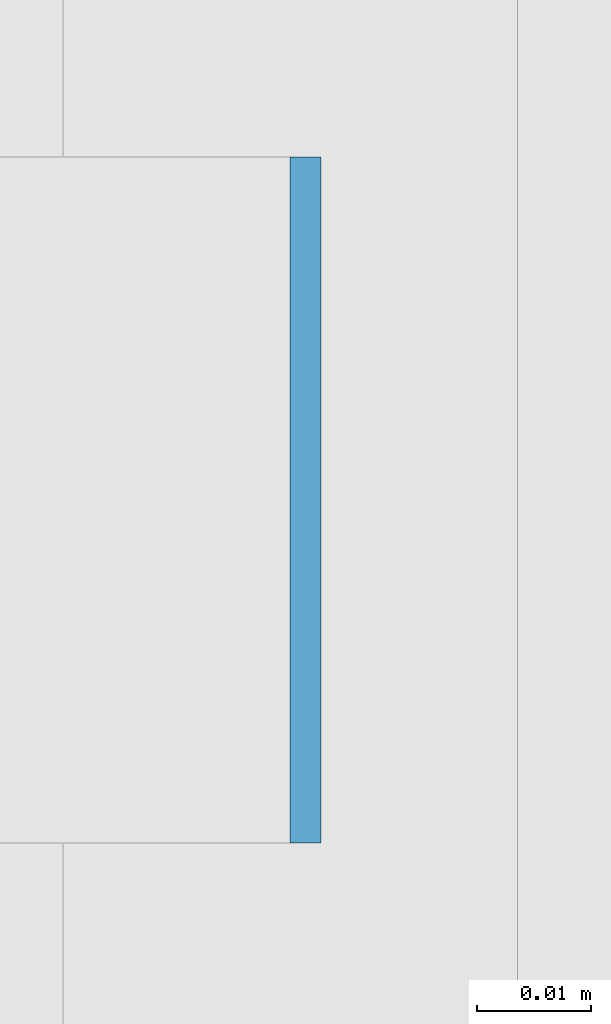
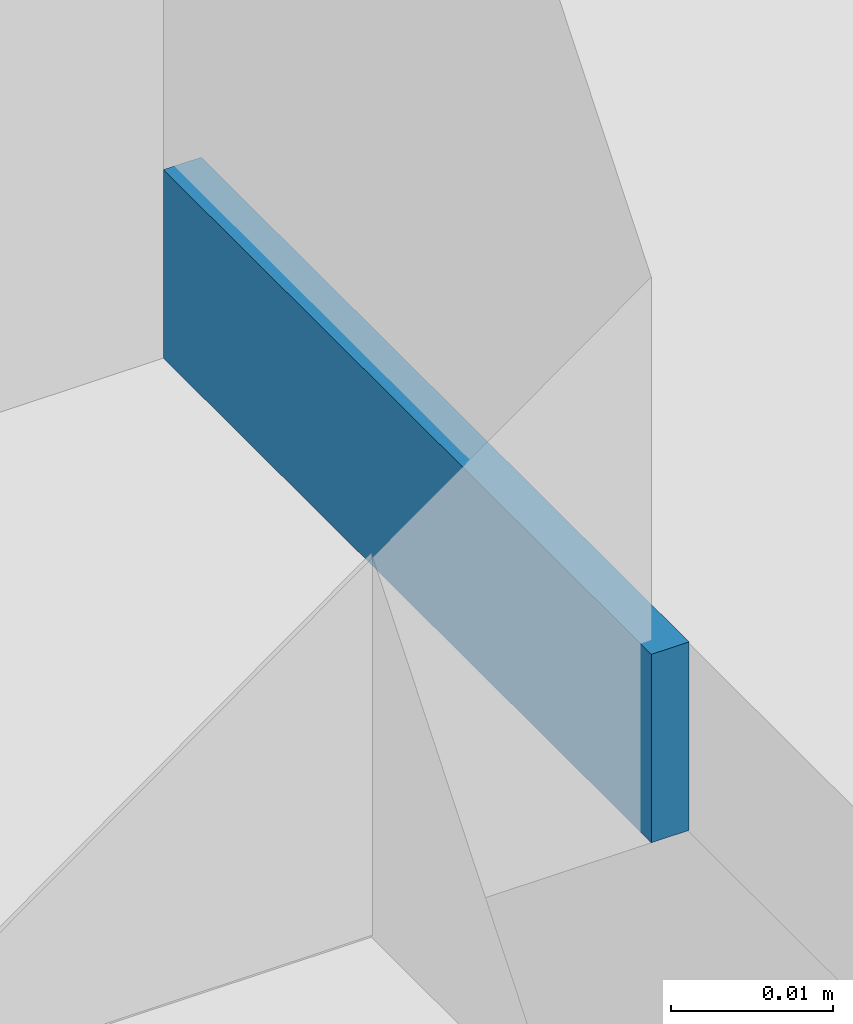
# One storey, part 374 of 646: 1 discrete accessory.
"""IFC4 building model written with IfcOpenShell, lengths in metres."""

from ifc_helpers import new_model, si_unit, direction, frame, origin, origin_2d, place, context, subcontext, project, spatial, rectangle, extrude, material, type_object, element, save


model = new_model("IFC4")

# Units and contexts
model_context = context("Model", 3, precision=1e-05, world=origin(), true_north=direction((0.0, 1.0)))
body_context = subcontext(model_context, "Body", "Model", "MODEL_VIEW")
ifc_project = project(units=[si_unit("LENGTHUNIT", "METRE"), si_unit("AREAUNIT", "SQUARE_METRE"), si_unit("VOLUMEUNIT", "CUBIC_METRE"), si_unit("PLANEANGLEUNIT", "RADIAN"), si_unit("MASSUNIT", "GRAM", prefix="KILO")], contexts=[model_context])

# Site, building, storey
site_placement = place(None, origin())
site = spatial("IfcSite", under=ifc_project, at=site_placement, CompositionType="ELEMENT")
building_placement = place(site_placement, origin())
building = spatial("IfcBuilding", under=site, at=building_placement, Name="Silverbay Arena", CompositionType="ELEMENT")
storey_placement = place(building_placement, frame((0.0, 0.0, 33.5)))
storey = spatial("IfcBuildingStorey", under=building, at=storey_placement, Name="L05", CompositionType="ELEMENT", Elevation=33.5)

# Discrete accessory
ifc_material = material(Name="Steel S355", Category="steel")
discrete_accessory_type = type_object("IfcDiscreteAccessoryType", Name="Steel bracket plate", PredefinedType="BRACKET", material=ifc_material)
discrete_accessory_placement = place(storey_placement, frame((53.871337890625, 104.142822265625, 4.0), z_axis=(0.0, 0.0, 1.0), x_axis=(1.0, 0.0, 0.0)))
element("IfcDiscreteAccessory", 1, at=discrete_accessory_placement, inside=storey, type_object=discrete_accessory_type, Name="Curtain wall packing plate", PredefinedType="BRACKET", context=body_context, shape_type="SweptSolid", body=[
    extrude(rectangle(XDim=0.002685546875, YDim=0.06005859375, at=origin_2d()), origin(), (0.0, 0.0, 1.0), 0.01416015625),
])

save(model, "model.ifc")
